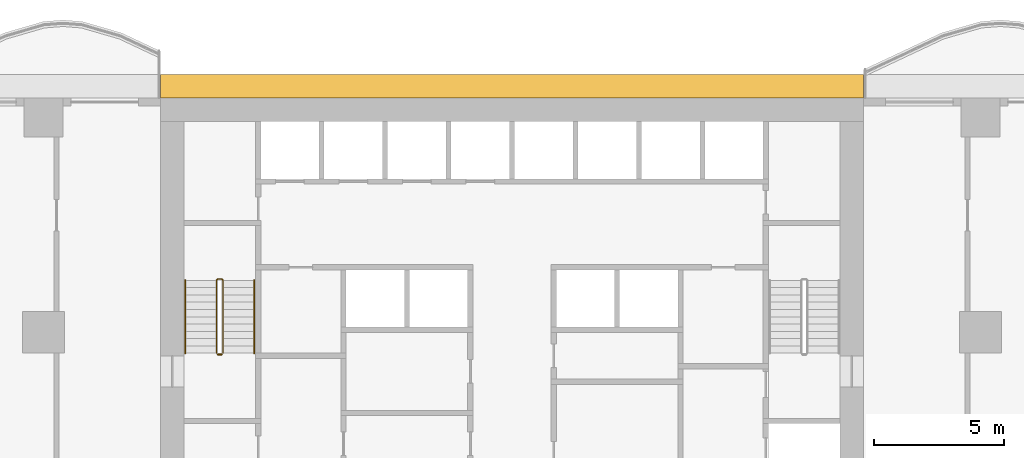
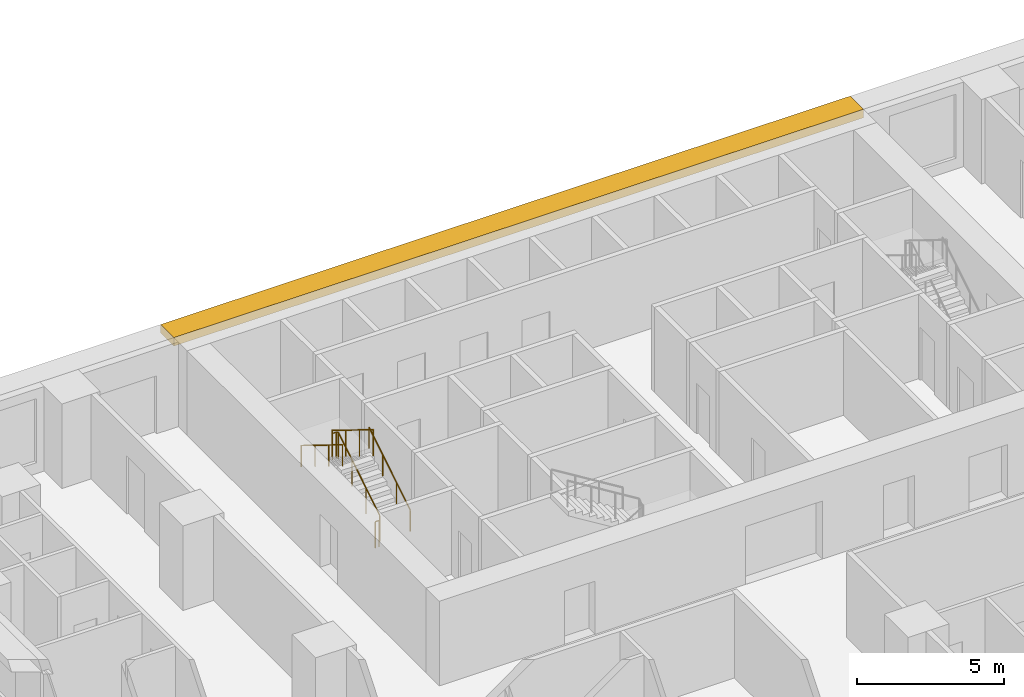
# One storey, part 12 of 14: 4 railings, 1 shading device.
"""IFC4 building model written with IfcOpenShell, lengths in metres."""

from ifc_helpers import new_model, si_unit, direction, frame, origin, origin_2d, place, context, subcontext, project, spatial, polyline, circle, outline, extrude, material, layer, layer_set, type_object, element, save


model = new_model("IFC4")

# Units and contexts
model_context = context("Model", 3, precision=1e-05, world=origin(), true_north=direction((0.0, 1.0)))
body_context = subcontext(model_context, "Body", "Model", "MODEL_VIEW")
ifc_project = project(units=[si_unit("LENGTHUNIT", "METRE"), si_unit("AREAUNIT", "SQUARE_METRE"), si_unit("VOLUMEUNIT", "CUBIC_METRE"), si_unit("PLANEANGLEUNIT", "RADIAN"), si_unit("MASSUNIT", "GRAM", prefix="KILO")], contexts=[model_context])

# Site, building, storey
site_placement = place(None, origin())
site = spatial("IfcSite", under=ifc_project, at=site_placement, CompositionType="ELEMENT")
building_placement = place(site_placement, origin())
building = spatial("IfcBuilding", under=site, at=building_placement, Name="Orbiselva Terraces", CompositionType="ELEMENT")
storey_placement = place(building_placement, frame((0.0, 0.0, 15.0)))
storey = spatial("IfcBuildingStorey", under=building, at=storey_placement, Name="L03", CompositionType="ELEMENT", Elevation=15.0)

# Railings
ifc_material_1 = material(Name="Stainless steel", Category="steel")
railing_type_1 = type_object("IfcRailingType", Name="CORE-GUARD-1100", PredefinedType="GUARDRAIL", material=ifc_material_1)
railing_1_placement = place(storey_placement, frame((-11.1, 12.7, 0.172727)))
element("IfcRailing", 1, at=railing_1_placement, inside=storey, type_object=railing_type_1, Name="L03 S1 stair guard 1", PredefinedType="GUARDRAIL", context=body_context, shape_type="SweptSolid", body=[
    extrude(circle(Radius=0.024, at=origin_2d()), frame((0.0, 0.0, 1.081), z_axis=(0.0, 0.851088519012, 0.52502222125), x_axis=(-1.0, 0.0, 0.0)), (0.0, 0.0, 1.0), 3.289905),
    extrude(circle(Radius=0.024, at=origin_2d()), frame((0.0, 2.8, 2.808273), z_axis=(-0.707106781187, 0.707106781187, 0.0), x_axis=(-0.707106781187, -0.707106781187, 0.0)), (0.0, 0.0, 1.0), 0.070711),
    extrude(circle(Radius=0.024, at=origin_2d()), frame((-0.05, 2.85, 2.808273), z_axis=(-1.0, 0.0, 0.0), x_axis=(0.0, -1.0, 0.0)), (0.0, 0.0, 1.0), 0.15),
    extrude(circle(Radius=0.024, at=origin_2d()), frame((-0.2, 2.85, 2.808273), z_axis=(-0.267894925557, -0.267894925557, 0.925453736133), x_axis=(0.707106781187, -0.707106781187, 0.0)), (0.0, 0.0, 1.0), 0.18664),
    extrude(circle(Radius=0.024, at=origin_2d()), frame((-0.25, 2.8, 2.981), z_axis=(0.0, -0.851088519012, 0.52502222125), x_axis=(1.0, 0.0, 0.0)), (0.0, 0.0, 1.0), 3.289905),
    extrude(circle(Radius=0.021, at=origin_2d()), origin(), (0.0, 0.0, 1.0), 1.057),
    extrude(circle(Radius=0.021, at=origin_2d()), frame((0.0, 0.933333, 0.575758)), (0.0, 0.0, 1.0), 1.057),
    extrude(circle(Radius=0.021, at=origin_2d()), frame((0.0, 1.866667, 1.151515)), (0.0, 0.0, 1.0), 1.057),
    extrude(circle(Radius=0.021, at=origin_2d()), frame((0.0, 2.8, 1.727273)), (0.0, 0.0, 1.0), 1.057),
    extrude(circle(Radius=0.021, at=origin_2d()), frame((-0.05, 2.85, 1.727273)), (0.0, 0.0, 1.0), 1.057),
    extrude(circle(Radius=0.021, at=origin_2d()), frame((-0.2, 2.85, 1.727273)), (0.0, 0.0, 1.0), 1.057),
    extrude(circle(Radius=0.021, at=origin_2d()), frame((-0.25, 2.8, 1.9)), (0.0, 0.0, 1.0), 1.057),
    extrude(circle(Radius=0.021, at=origin_2d()), frame((-0.25, 1.866667, 2.475758)), (0.0, 0.0, 1.0), 1.057),
    extrude(circle(Radius=0.021, at=origin_2d()), frame((-0.25, 0.933333, 3.051515)), (0.0, 0.0, 1.0), 1.057),
    extrude(circle(Radius=0.021, at=origin_2d()), frame((-0.25, 0.0, 3.627273)), (0.0, 0.0, 1.0), 1.057),
])
railing_2_placement = place(storey_placement, frame((-11.15, 12.65, 0.0)))
element("IfcRailing", 2, at=railing_2_placement, inside=storey, type_object=railing_type_1, Name="L03 S1 stair guard 2", PredefinedType="GUARDRAIL", context=body_context, shape_type="SweptSolid", body=[
    extrude(circle(Radius=0.024, at=origin_2d()), frame((0.0, 0.0, 1.081), z_axis=(-1.0, 0.0, 0.0), x_axis=(0.0, -1.0, 0.0)), (0.0, 0.0, 1.0), 0.15),
    extrude(circle(Radius=0.021, at=origin_2d()), origin(), (0.0, 0.0, 1.0), 1.057),
    extrude(circle(Radius=0.021, at=origin_2d()), frame((-0.15, 0.0, 0.0)), (0.0, 0.0, 1.0), 1.057),
])
railing_type_2 = type_object("IfcRailingType", Name="CORE-HANDRAIL-900", PredefinedType="HANDRAIL", material=ifc_material_1)
railing_3_placement = place(storey_placement, frame((-9.9, 12.7, 0.172727)))
element("IfcRailing", 3, at=railing_3_placement, inside=storey, type_object=railing_type_2, Name="L03 S1 stair handrail 1", PredefinedType="HANDRAIL", context=body_context, shape_type="SweptSolid", body=[
    extrude(circle(Radius=0.024, at=origin_2d()), frame((0.0, 0.0, 0.876), z_axis=(0.0, 0.851088519012, 0.52502222125), x_axis=(-1.0, 0.0, 0.0)), (0.0, 0.0, 1.0), 3.289905),
    extrude(circle(Radius=0.021, at=origin_2d()), origin(), (0.0, 0.0, 1.0), 0.852),
    extrude(circle(Radius=0.021, at=origin_2d()), frame((0.0, 0.933333, 0.575758)), (0.0, 0.0, 1.0), 0.852),
    extrude(circle(Radius=0.021, at=origin_2d()), frame((0.0, 1.866667, 1.151515)), (0.0, 0.0, 1.0), 0.852),
    extrude(circle(Radius=0.021, at=origin_2d()), frame((0.0, 2.8, 1.727273)), (0.0, 0.0, 1.0), 0.852),
])
railing_4_placement = place(storey_placement, frame((-12.55, 15.5, 2.072727)))
element("IfcRailing", 4, at=railing_4_placement, inside=storey, type_object=railing_type_2, Name="L03 S1 stair handrail 2", PredefinedType="HANDRAIL", context=body_context, shape_type="SweptSolid", body=[
    extrude(circle(Radius=0.024, at=origin_2d()), frame((0.0, 0.0, 0.876), z_axis=(0.0, -0.851088519012, 0.52502222125), x_axis=(1.0, 0.0, 0.0)), (0.0, 0.0, 1.0), 3.289905),
    extrude(circle(Radius=0.021, at=origin_2d()), origin(), (0.0, 0.0, 1.0), 0.852),
    extrude(circle(Radius=0.021, at=origin_2d()), frame((0.0, -0.933333, 0.575758)), (0.0, 0.0, 1.0), 0.852),
    extrude(circle(Radius=0.021, at=origin_2d()), frame((0.0, -1.866667, 1.151515)), (0.0, 0.0, 1.0), 0.852),
    extrude(circle(Radius=0.021, at=origin_2d()), frame((0.0, -2.8, 1.727273)), (0.0, 0.0, 1.0), 0.852),
])

# Shading device
ifc_material_2 = material(Name="Terracotta baguette sunshade", Category="masonry")
ifc_layer = layer(ifc_material_2, 0.35)
ifc_layer_set = layer_set([ifc_layer], Name="Terracotta baguette sunshade")
shading_device_type = type_object("IfcShadingDeviceType", Name="ENV-SUNSHADE-900x350", PredefinedType="USERDEFINED", material=ifc_layer_set)
shading_device_placement = place(storey_placement, frame((0.0, 0.0, 3.15)))
element("IfcShadingDevice", 5, at=shading_device_placement, inside=storey, type_object=shading_device_type, Name="Sunshade band L03 CORE NORTH", ObjectType="SUNSHADE", PredefinedType="USERDEFINED", context=body_context, shape_type="SweptSolid", body=[
    extrude(outline(polyline([(13.5, 23.4), (-13.5, 23.4), (-13.5, 22.5), (13.5, 22.5), (13.5, 23.4)])), origin(), (0.0, 0.0, 1.0), 0.35),
])

save(model, "model.ifc")
